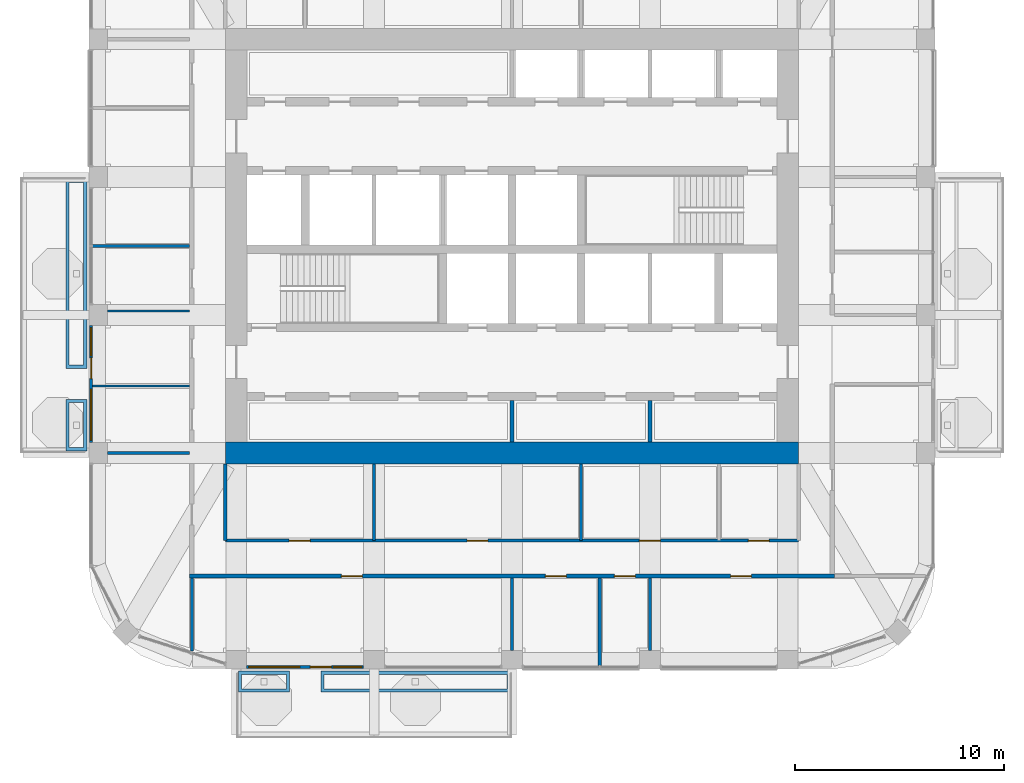
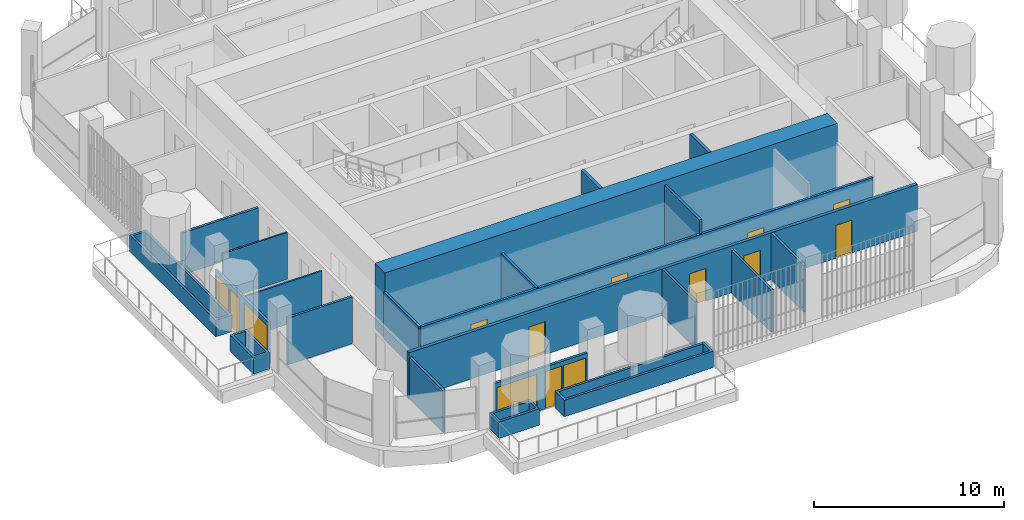
# One storey, part 11 of 18: 22 walls, 10 doors, 4 windows, 14 openings.
"""IFC4 building model written with IfcOpenShell, lengths in metres."""

from ifc_helpers import new_model, si_unit, direction, frame, frame_2d, origin, place, context, subcontext, project, spatial, polyline, rectangle, outline, extrude, material, layer, layer_set, type_object, element, fill, save


model = new_model("IFC4")

# Units and contexts
model_context = context("Model", 3, precision=1e-05, world=origin(), true_north=direction((0.0, 1.0)))
body_context = subcontext(model_context, "Body", "Model", "MODEL_VIEW")
ifc_project = project(units=[si_unit("LENGTHUNIT", "METRE"), si_unit("AREAUNIT", "SQUARE_METRE"), si_unit("VOLUMEUNIT", "CUBIC_METRE"), si_unit("PLANEANGLEUNIT", "RADIAN"), si_unit("MASSUNIT", "GRAM", prefix="KILO")], contexts=[model_context])

# Site, building, storey
site_placement = place(None, origin())
site = spatial("IfcSite", under=ifc_project, at=site_placement, CompositionType="ELEMENT")
building_placement = place(site_placement, origin())
building = spatial("IfcBuilding", under=site, at=building_placement, Name="Cobogo Forest Laboratory Tower", CompositionType="ELEMENT")
storey_placement = place(building_placement, frame((0.0, 0.0, 271.199951171875)))
storey = spatial("IfcBuildingStorey", under=building, at=storey_placement, Name="L62", CompositionType="ELEMENT", Elevation=271.199951171875)

# Wall
ifc_material_1 = material(Name="Concrete HA-50 (C50/60)", Category="concrete")
ifc_layer_1 = layer(ifc_material_1, 1.050048828125)
ifc_layer_set_1 = layer_set([ifc_layer_1], Name="CW1050 core outer wall 1050")
wall_type_1 = type_object("IfcWallType", Name="CW1050 core outer wall 1050", PredefinedType="SHEAR", material=ifc_layer_set_1)
wall_1_placement = place(storey_placement, frame((12.675048828125, 13.199951171875, 0.0), z_axis=(0.0, 0.0, 1.0), x_axis=(1.0, 0.0, 0.0)))
element("IfcWall", 1, at=wall_1_placement, inside=storey, type_object=wall_type_1, Name="Core wall CO-S L62", PredefinedType="SHEAR", context=body_context, shape_type="SweptSolid", body=[
    extrude(rectangle(XDim=27.449951171875, YDim=1.050048828125, at=frame_2d((13.72509765625, 0.0))), origin(), (0.0, 0.0, 1.0), 4.199951171875),
])

# Wall, openings, door, windows
ifc_material_2 = material(Name="Aluminium framed glazed screen", Category="aluminium")
ifc_layer_2 = layer(ifc_material_2, 0.14990234375)
ifc_layer_set_2 = layer_set([ifc_layer_2], Name="GS1 glazed door screen 150")
wall_type_2 = type_object("IfcWallType", Name="GS1 glazed door screen 150", PredefinedType="SOLIDWALL", material=ifc_layer_set_2)
wall_2_placement = place(storey_placement, frame((13.699951171875, 2.949951171875, 0.0), z_axis=(0.0, 0.0, 1.0), x_axis=(1.0, 0.0, 0.0)))
wall_2 = element("IfcWall", 2, at=wall_2_placement, inside=storey, type_object=wall_type_2, Name="Door screen BAL-S1 L62", PredefinedType="SOLIDWALL", context=body_context, shape_type="SweptSolid", body=[
    extrude(rectangle(XDim=5.60009765625, YDim=0.14990234375, at=frame_2d((2.800048828125, 0.0))), origin(), (0.0, 0.0, 1.0), 2.699951171875),
])
opening_1_placement = place(wall_2_placement, frame((3.050048828125, 0.0, 0.0)))
opening_1 = element("IfcOpeningElement", 3, at=opening_1_placement, cuts=wall_2, Name="Opening L62-D01", PredefinedType="OPENING", context=body_context, shape_type="SweptSolid", body=[
    extrude(rectangle(XDim=1.0, YDim=2.39990234375, at=frame_2d((0.5, 1.199951171875))), frame((0.0, 0.0849609375, 0.0), z_axis=(0.0, -1.0, 0.0), x_axis=(1.0, 0.0, 0.0)), (0.0, 0.0, 1.0), 0.169921875),
])
opening_2_placement = place(wall_2_placement, frame((0.10009765625, 0.0, 0.10009765625)))
opening_2 = element("IfcOpeningElement", 4, at=opening_2_placement, cuts=wall_2, Name="Opening L62-W01", PredefinedType="OPENING", context=body_context, shape_type="SweptSolid", body=[
    extrude(rectangle(XDim=2.449951171875, YDim=2.300048828125, at=frame_2d((1.22509765625, 1.14990234375))), frame((0.0, 0.0849609375, 0.0), z_axis=(0.0, -1.0, 0.0), x_axis=(1.0, 0.0, 0.0)), (0.0, 0.0, 1.0), 0.169921875),
])
opening_3_placement = place(wall_2_placement, frame((4.14990234375, 0.0, 0.10009765625)))
opening_3 = element("IfcOpeningElement", 5, at=opening_3_placement, cuts=wall_2, Name="Opening L62-W02", PredefinedType="OPENING", context=body_context, shape_type="SweptSolid", body=[
    extrude(rectangle(XDim=1.35009765625, YDim=2.300048828125, at=frame_2d((0.675048828125, 1.14990234375))), frame((0.0, 0.0849609375, 0.0), z_axis=(0.0, -1.0, 0.0), x_axis=(1.0, 0.0, 0.0)), (0.0, 0.0, 1.0), 0.169921875),
])
ifc_material_3 = material(Name="Aluminium glazed door", Category="aluminium")
door_type_1 = type_object("IfcDoorType", Name="DB1 balcony door 1000 glazed", OperationType="SINGLE_SWING_LEFT", PredefinedType="DOOR", material=ifc_material_3)
door_1_placement = place(opening_1_placement, origin())
door_1 = element("IfcDoor", 6, at=door_1_placement, inside=storey, type_object=door_type_1, Name="Door L62-BAL-S1", OperationType="SINGLE_SWING_RIGHT", OverallHeight=2.39990234375, OverallWidth=1.0, PredefinedType="DOOR", context=body_context, shape_type="SweptSolid", body=[
    extrude(rectangle(XDim=1.0, YDim=2.39990234375, at=frame_2d((0.5, 1.199951171875))), frame((0.0, 0.02490234375, 0.0), z_axis=(0.0, -1.0, 0.0), x_axis=(1.0, 0.0, 0.0)), (0.0, 0.0, 1.0), 0.050048828125),
])
fill(opening_1, door_1)
ifc_material_4 = material(Name="Aluminium framed glazing", Category="aluminium")
window_type_1 = type_object("IfcWindowType", Name="WG23 fixed glazed light 2450x2300", PartitioningType="SINGLE_PANEL", PredefinedType="WINDOW", material=ifc_material_4)
window_1_placement = place(opening_2_placement, origin())
window_1 = element("IfcWindow", 7, at=window_1_placement, inside=storey, type_object=window_type_1, Name="Window L62-BAL-S1-1", OverallHeight=2.300048828125, OverallWidth=2.449951171875, PartitioningType="SINGLE_PANEL", PredefinedType="WINDOW", context=body_context, shape_type="SweptSolid", body=[
    extrude(rectangle(XDim=2.449951171875, YDim=2.300048828125, at=frame_2d((1.22509765625, 1.14990234375))), frame((0.0, 0.030029296875, 0.0), z_axis=(0.0, -1.0, 0.0), x_axis=(1.0, 0.0, 0.0)), (0.0, 0.0, 1.0), 0.06005859375),
])
fill(opening_2, window_1)
window_type_2 = type_object("IfcWindowType", Name="WG24 fixed glazed light 1350x2300", PartitioningType="SINGLE_PANEL", PredefinedType="WINDOW", material=ifc_material_4)
window_2_placement = place(opening_3_placement, origin())
window_2 = element("IfcWindow", 8, at=window_2_placement, inside=storey, type_object=window_type_2, Name="Window L62-BAL-S1-2", OverallHeight=2.300048828125, OverallWidth=1.35009765625, PartitioningType="SINGLE_PANEL", PredefinedType="WINDOW", context=body_context, shape_type="SweptSolid", body=[
    extrude(rectangle(XDim=1.35009765625, YDim=2.300048828125, at=frame_2d((0.675048828125, 1.14990234375))), frame((0.0, 0.030029296875, 0.0), z_axis=(0.0, -1.0, 0.0), x_axis=(1.0, 0.0, 0.0)), (0.0, 0.0, 1.0), 0.06005859375),
])
fill(opening_3, window_2)

wall_3_placement = place(storey_placement, frame((6.25, 19.300048828125, 0.0), z_axis=(0.0, 0.0, 1.0), x_axis=(0.0, -1.0, 0.0)))
wall_3 = element("IfcWall", 9, at=wall_3_placement, inside=storey, type_object=wall_type_2, Name="Door screen BAL-W1 L62", PredefinedType="SOLIDWALL", context=body_context, shape_type="SweptSolid", body=[
    extrude(rectangle(XDim=5.60009765625, YDim=0.14990234375, at=frame_2d((2.800048828125, 0.0))), origin(), (0.0, 0.0, 1.0), 2.699951171875),
])
opening_4_placement = place(wall_3_placement, frame((1.550048828125, 0.0, 0.0)))
opening_4 = element("IfcOpeningElement", 10, at=opening_4_placement, cuts=wall_3, Name="Opening L62-D21", PredefinedType="OPENING", context=body_context, shape_type="SweptSolid", body=[
    extrude(rectangle(XDim=1.0, YDim=2.39990234375, at=frame_2d((0.5, 1.199951171875))), frame((0.0, 0.0849609375, 0.0), z_axis=(0.0, -1.0, 0.0), x_axis=(1.0, 0.0, 0.0)), (0.0, 0.0, 1.0), 0.169921875),
])
opening_5_placement = place(wall_3_placement, frame((0.10009765625, 0.0, 0.10009765625)))
opening_5 = element("IfcOpeningElement", 11, at=opening_5_placement, cuts=wall_3, Name="Opening L62-W05", PredefinedType="OPENING", context=body_context, shape_type="SweptSolid", body=[
    extrude(rectangle(XDim=1.35009765625, YDim=2.300048828125, at=frame_2d((0.675048828125, 1.14990234375))), frame((0.0, 0.0849609375, 0.0), z_axis=(0.0, -1.0, 0.0), x_axis=(1.0, 0.0, 0.0)), (0.0, 0.0, 1.0), 0.169921875),
])
opening_6_placement = place(wall_3_placement, frame((3.050048828125, 0.0, 0.10009765625)))
opening_6 = element("IfcOpeningElement", 12, at=opening_6_placement, cuts=wall_3, Name="Opening L62-W03", PredefinedType="OPENING", context=body_context, shape_type="SweptSolid", body=[
    extrude(rectangle(XDim=2.449951171875, YDim=2.300048828125, at=frame_2d((1.22509765625, 1.14990234375))), frame((0.0, 0.0849609375, 0.0), z_axis=(0.0, -1.0, 0.0), x_axis=(1.0, 0.0, 0.0)), (0.0, 0.0, 1.0), 0.169921875),
])
door_2_placement = place(opening_4_placement, origin())
door_2 = element("IfcDoor", 13, at=door_2_placement, inside=storey, type_object=door_type_1, Name="Door L62-BAL-W1", OperationType="SINGLE_SWING_LEFT", OverallHeight=2.39990234375, OverallWidth=1.0, PredefinedType="DOOR", context=body_context, shape_type="SweptSolid", body=[
    extrude(rectangle(XDim=1.0, YDim=2.39990234375, at=frame_2d((0.5, 1.199951171875))), frame((0.0, 0.02490234375, 0.0), z_axis=(0.0, -1.0, 0.0), x_axis=(1.0, 0.0, 0.0)), (0.0, 0.0, 1.0), 0.050048828125),
])
fill(opening_4, door_2)
window_3_placement = place(opening_6_placement, origin())
window_3 = element("IfcWindow", 14, at=window_3_placement, inside=storey, type_object=window_type_1, Name="Window L62-BAL-W1-2", OverallHeight=2.300048828125, OverallWidth=2.449951171875, PartitioningType="SINGLE_PANEL", PredefinedType="WINDOW", context=body_context, shape_type="SweptSolid", body=[
    extrude(rectangle(XDim=2.449951171875, YDim=2.300048828125, at=frame_2d((1.22509765625, 1.14990234375))), frame((0.0, 0.030029296875, 0.0), z_axis=(0.0, -1.0, 0.0), x_axis=(1.0, 0.0, 0.0)), (0.0, 0.0, 1.0), 0.06005859375),
])
fill(opening_6, window_3)
window_4_placement = place(opening_5_placement, origin())
window_4 = element("IfcWindow", 15, at=window_4_placement, inside=storey, type_object=window_type_2, Name="Window L62-BAL-W1-1", OverallHeight=2.300048828125, OverallWidth=1.35009765625, PartitioningType="SINGLE_PANEL", PredefinedType="WINDOW", context=body_context, shape_type="SweptSolid", body=[
    extrude(rectangle(XDim=1.35009765625, YDim=2.300048828125, at=frame_2d((0.675048828125, 1.14990234375))), frame((0.0, 0.030029296875, 0.0), z_axis=(0.0, -1.0, 0.0), x_axis=(1.0, 0.0, 0.0)), (0.0, 0.0, 1.0), 0.06005859375),
])
fill(opening_5, window_4)

# Wall, openings, doors
ifc_material_5 = material(Name="Gypsum board on steel studs", Category="steel")
ifc_layer_3 = layer(ifc_material_5, 0.14990234375)
ifc_layer_set_3 = layer_set([ifc_layer_3], Name="PT1 laboratory partition 150")
wall_type_3 = type_object("IfcWallType", Name="PT1 laboratory partition 150", PredefinedType="PARTITIONING", material=ifc_layer_set_3)
wall_4_placement = place(storey_placement, frame((12.675048828125, 9.0, 0.0), z_axis=(0.0, 0.0, 1.0), x_axis=(1.0, 0.0, 0.0)))
wall_4 = element("IfcWall", 16, at=wall_4_placement, inside=storey, type_object=wall_type_3, Name="Partition CSTRIP-S L62", PredefinedType="PARTITIONING", context=body_context, shape_type="SweptSolid", body=[
    extrude(rectangle(XDim=27.449951171875, YDim=0.14990234375, at=frame_2d((13.72509765625, 0.0))), origin(), (0.0, 0.0, 1.0), 3.0),
])
opening_7_placement = place(wall_4_placement, frame((3.0625, 0.0, 0.0)))
opening_7 = element("IfcOpeningElement", 17, at=opening_7_placement, cuts=wall_4, Name="Opening L62-D06", PredefinedType="OPENING", context=body_context, shape_type="SweptSolid", body=[
    extrude(rectangle(XDim=1.0, YDim=2.10009765625, at=frame_2d((0.5, 1.050048828125))), frame((0.0, 0.0849609375, 0.0), z_axis=(0.0, -1.0, 0.0), x_axis=(1.0, 0.0, 0.0)), (0.0, 0.0, 1.0), 0.169921875),
])
opening_8_placement = place(wall_4_placement, frame((11.574951171875, 0.0, 0.0)))
opening_8 = element("IfcOpeningElement", 18, at=opening_8_placement, cuts=wall_4, Name="Opening L62-D07", PredefinedType="OPENING", context=body_context, shape_type="SweptSolid", body=[
    extrude(rectangle(XDim=1.0, YDim=2.10009765625, at=frame_2d((0.5, 1.050048828125))), frame((0.0, 0.0849609375, 0.0), z_axis=(0.0, -1.0, 0.0), x_axis=(1.0, 0.0, 0.0)), (0.0, 0.0, 1.0), 0.169921875),
])
opening_9_placement = place(wall_4_placement, frame((19.824951171875, 0.0, 0.0)))
opening_9 = element("IfcOpeningElement", 19, at=opening_9_placement, cuts=wall_4, Name="Opening L62-D08", PredefinedType="OPENING", context=body_context, shape_type="SweptSolid", body=[
    extrude(rectangle(XDim=1.0, YDim=2.10009765625, at=frame_2d((0.5, 1.050048828125))), frame((0.0, 0.0849609375, 0.0), z_axis=(0.0, -1.0, 0.0), x_axis=(1.0, 0.0, 0.0)), (0.0, 0.0, 1.0), 0.169921875),
])
opening_10_placement = place(wall_4_placement, frame((25.03759765625, 0.0, 0.0)))
opening_10 = element("IfcOpeningElement", 20, at=opening_10_placement, cuts=wall_4, Name="Opening L62-D09", PredefinedType="OPENING", context=body_context, shape_type="SweptSolid", body=[
    extrude(rectangle(XDim=1.0, YDim=2.10009765625, at=frame_2d((0.5, 1.050048828125))), frame((0.0, 0.0849609375, 0.0), z_axis=(0.0, -1.0, 0.0), x_axis=(1.0, 0.0, 0.0)), (0.0, 0.0, 1.0), 0.169921875),
])
ifc_material_6 = material(Name="Timber fire door", Category="wood")
door_type_2 = type_object("IfcDoorType", Name="FD2 fire door 1000 EI2 30", OperationType="SINGLE_SWING_LEFT", PredefinedType="DOOR", material=ifc_material_6)
door_3_placement = place(opening_7_placement, origin())
door_3 = element("IfcDoor", 21, at=door_3_placement, inside=storey, type_object=door_type_2, Name="Door L62-CSS1", OperationType="SINGLE_SWING_LEFT", OverallHeight=2.10009765625, OverallWidth=1.0, PredefinedType="DOOR", context=body_context, shape_type="SweptSolid", body=[
    extrude(rectangle(XDim=1.0, YDim=2.10009765625, at=frame_2d((0.5, 1.050048828125))), frame((0.0, 0.02490234375, 0.0), z_axis=(0.0, -1.0, 0.0), x_axis=(1.0, 0.0, 0.0)), (0.0, 0.0, 1.0), 0.050048828125),
])
fill(opening_7, door_3)
door_4_placement = place(opening_8_placement, origin())
door_4 = element("IfcDoor", 22, at=door_4_placement, inside=storey, type_object=door_type_2, Name="Door L62-CSS2", OperationType="SINGLE_SWING_LEFT", OverallHeight=2.10009765625, OverallWidth=1.0, PredefinedType="DOOR", context=body_context, shape_type="SweptSolid", body=[
    extrude(rectangle(XDim=1.0, YDim=2.10009765625, at=frame_2d((0.5, 1.050048828125))), frame((0.0, 0.02490234375, 0.0), z_axis=(0.0, -1.0, 0.0), x_axis=(1.0, 0.0, 0.0)), (0.0, 0.0, 1.0), 0.050048828125),
])
fill(opening_8, door_4)
door_5_placement = place(opening_9_placement, origin())
door_5 = element("IfcDoor", 23, at=door_5_placement, inside=storey, type_object=door_type_2, Name="Door L62-CSS3", OperationType="SINGLE_SWING_RIGHT", OverallHeight=2.10009765625, OverallWidth=1.0, PredefinedType="DOOR", context=body_context, shape_type="SweptSolid", body=[
    extrude(rectangle(XDim=1.0, YDim=2.10009765625, at=frame_2d((0.5, 1.050048828125))), frame((0.0, 0.02490234375, 0.0), z_axis=(0.0, -1.0, 0.0), x_axis=(1.0, 0.0, 0.0)), (0.0, 0.0, 1.0), 0.050048828125),
])
fill(opening_9, door_5)
door_6_placement = place(opening_10_placement, origin())
door_6 = element("IfcDoor", 24, at=door_6_placement, inside=storey, type_object=door_type_2, Name="Door L62-CSS4", OperationType="SINGLE_SWING_RIGHT", OverallHeight=2.10009765625, OverallWidth=1.0, PredefinedType="DOOR", context=body_context, shape_type="SweptSolid", body=[
    extrude(rectangle(XDim=1.0, YDim=2.10009765625, at=frame_2d((0.5, 1.050048828125))), frame((0.0, 0.02490234375, 0.0), z_axis=(0.0, -1.0, 0.0), x_axis=(1.0, 0.0, 0.0)), (0.0, 0.0, 1.0), 0.050048828125),
])
fill(opening_10, door_6)

# Walls
for number, where, z_axis, x_axis, name in (
    (25, (12.675048828125, 12.675048828125, 0.0), (0.0, 0.0, 1.0), (0.0, -1.0, 0.0), "Partition CSTRIP-SW L62"),
    (26, (19.800048828125, 12.675048828125, 0.0), (0.0, 0.0, 1.0), (0.0, -1.0, 0.0), "Partition CSTRIP-S19.8 L62"),
):
    element("IfcWall", number, at=place(storey_placement, frame(where, z_axis=z_axis, x_axis=x_axis)), inside=storey, type_object=wall_type_3, Name=name, PredefinedType="PARTITIONING", context=body_context, shape_type="SweptSolid", body=[
        extrude(rectangle(XDim=3.675048828125, YDim=0.14990234375, at=frame_2d((1.83740234375, 0.0))), origin(), (0.0, 0.0, 1.0), 3.0),
    ])
wall_5_placement = place(storey_placement, frame((29.699951171875, 12.675048828125, 0.0), z_axis=(0.0, 0.0, 1.0), x_axis=(0.0, -1.0, 0.0)))
element("IfcWall", 27, at=wall_5_placement, inside=storey, type_object=wall_type_3, Name="Partition CSTRIP-S29.7 L62", PredefinedType="PARTITIONING", context=body_context, shape_type="SweptSolid", body=[
    extrude(rectangle(XDim=3.675048828125, YDim=0.14990234375, at=frame_2d((1.83740234375, 0.0))), origin(), (0.0, 0.0, 1.0), 3.900146484375),
])
wall_6_placement = place(storey_placement, frame((11.074951171875, 3.705078125, 0.0), z_axis=(0.0, 0.0, 1.0), x_axis=(0.0, 1.0, 0.0)))
element("IfcWall", 28, at=wall_6_placement, inside=storey, type_object=wall_type_3, Name="Partition PW-SW L62", PredefinedType="PARTITIONING", context=body_context, shape_type="SweptSolid", body=[
    extrude(rectangle(XDim=3.494873046875, YDim=0.14990234375, at=frame_2d((1.74755859375, 0.0))), origin(), (0.0, 0.0, 1.0), 2.699951171875),
])
wall_7_placement = place(storey_placement, frame((30.60009765625, 3.030029296875, 0.0), z_axis=(0.0, 0.0, 1.0), x_axis=(0.0, 1.0, 0.0)))
element("IfcWall", 29, at=wall_7_placement, inside=storey, type_object=wall_type_3, Name="Partition SVC-S1-1 L62", PredefinedType="PARTITIONING", context=body_context, shape_type="SweptSolid", body=[
    extrude(rectangle(XDim=4.169921875, YDim=0.14990234375, at=frame_2d((2.0849609375, 0.0))), origin(), (0.0, 0.0, 1.0), 2.699951171875),
])
for number, where, z_axis, x_axis, name in (
    (30, (33.0, 3.75, 0.0), (0.0, 0.0, 1.0), (0.0, 1.0, 0.0), "Partition SVC-S2-1 L62"),
    (31, (26.39990234375, 3.75, 0.0), (0.0, 0.0, 1.0), (0.0, 1.0, 0.0), "Partition CUT-S26.4-1 L62"),
):
    element("IfcWall", number, at=place(storey_placement, frame(where, z_axis=z_axis, x_axis=x_axis)), inside=storey, type_object=wall_type_3, Name=name, PredefinedType="PARTITIONING", context=body_context, shape_type="SweptSolid", body=[
        extrude(rectangle(XDim=3.449951171875, YDim=0.14990234375, at=frame_2d((1.72509765625, 0.0))), origin(), (0.0, 0.0, 1.0), 3.0),
    ])
wall_8_placement = place(storey_placement, frame((6.330078125, 23.10009765625, 0.0), z_axis=(0.0, 0.0, 1.0), x_axis=(1.0, 0.0, 0.0)))
element("IfcWall", 32, at=wall_8_placement, inside=storey, type_object=wall_type_3, Name="Partition SVC-W3-1 L62", PredefinedType="PARTITIONING", context=body_context, shape_type="SweptSolid", body=[
    extrude(rectangle(XDim=4.64501953125, YDim=0.14990234375, at=frame_2d((2.322509765625, 0.0))), origin(), (0.0, 0.0, 1.0), 2.699951171875),
])
wall_9_placement = place(storey_placement, frame((7.050048828125, 13.199951171875, 0.0), z_axis=(0.0, 0.0, 1.0), x_axis=(1.0, 0.0, 0.0)))
element("IfcWall", 33, at=wall_9_placement, inside=storey, type_object=wall_type_3, Name="Partition CUT-W13.2-1 L62", PredefinedType="PARTITIONING", context=body_context, shape_type="SweptSolid", body=[
    extrude(rectangle(XDim=3.925048828125, YDim=0.14990234375, at=frame_2d((1.96240234375, 0.0))), origin(), (0.0, 0.0, 1.0), 3.0),
])

# Wall, openings, doors
ifc_layer_4 = layer(ifc_material_5, 0.199951171875)
ifc_layer_set_4 = layer_set([ifc_layer_4], Name="PT2 fire-rated corridor partition 200")
wall_type_4 = type_object("IfcWallType", Name="PT2 fire-rated corridor partition 200", PredefinedType="PARTITIONING", material=ifc_layer_set_4)
wall_10_placement = place(storey_placement, frame((10.97509765625, 7.300048828125, 0.0), z_axis=(0.0, 0.0, 1.0), x_axis=(1.0, 0.0, 0.0)))
wall_10 = element("IfcWall", 34, at=wall_10_placement, inside=storey, type_object=wall_type_4, Name="Partition CORR-S L62", PredefinedType="PARTITIONING", context=body_context, shape_type="SweptSolid", body=[
    extrude(rectangle(XDim=30.849853515625, YDim=0.199951171875, at=frame_2d((15.4248046875, 0.0))), origin(), (0.0, 0.0, 1.0), 3.0),
])
opening_11_placement = place(wall_10_placement, frame((7.262451171875, 0.0, 0.0)))
opening_11 = element("IfcOpeningElement", 35, at=opening_11_placement, cuts=wall_10, Name="Opening L62-D02", PredefinedType="OPENING", context=body_context, shape_type="SweptSolid", body=[
    extrude(rectangle(XDim=1.0, YDim=2.10009765625, at=frame_2d((0.5, 1.050048828125))), frame((0.0, 0.10986328125, 0.0), z_axis=(0.0, -1.0, 0.0), x_axis=(1.0, 0.0, 0.0)), (0.0, 0.0, 1.0), 0.219970703125),
])
opening_12_placement = place(wall_10_placement, frame((17.02490234375, 0.0, 0.0)))
opening_12 = element("IfcOpeningElement", 36, at=opening_12_placement, cuts=wall_10, Name="Opening L62-D03", PredefinedType="OPENING", context=body_context, shape_type="SweptSolid", body=[
    extrude(rectangle(XDim=1.0, YDim=2.10009765625, at=frame_2d((0.5, 1.050048828125))), frame((0.0, 0.10986328125, 0.0), z_axis=(0.0, -1.0, 0.0), x_axis=(1.0, 0.0, 0.0)), (0.0, 0.0, 1.0), 0.219970703125),
])
opening_13_placement = place(wall_10_placement, frame((20.324951171875, 0.0, 0.0)))
opening_13 = element("IfcOpeningElement", 37, at=opening_13_placement, cuts=wall_10, Name="Opening L62-D04", PredefinedType="OPENING", context=body_context, shape_type="SweptSolid", body=[
    extrude(rectangle(XDim=1.0, YDim=2.10009765625, at=frame_2d((0.5, 1.050048828125))), frame((0.0, 0.10986328125, 0.0), z_axis=(0.0, -1.0, 0.0), x_axis=(1.0, 0.0, 0.0)), (0.0, 0.0, 1.0), 0.219970703125),
])
opening_14_placement = place(wall_10_placement, frame((25.887451171875, 0.0, 0.0)))
opening_14 = element("IfcOpeningElement", 38, at=opening_14_placement, cuts=wall_10, Name="Opening L62-D05", PredefinedType="OPENING", context=body_context, shape_type="SweptSolid", body=[
    extrude(rectangle(XDim=1.0, YDim=2.10009765625, at=frame_2d((0.5, 1.050048828125))), frame((0.0, 0.10986328125, 0.0), z_axis=(0.0, -1.0, 0.0), x_axis=(1.0, 0.0, 0.0)), (0.0, 0.0, 1.0), 0.219970703125),
])
door_7_placement = place(opening_11_placement, origin())
door_7 = element("IfcDoor", 39, at=door_7_placement, inside=storey, type_object=door_type_2, Name="Door L62-S1", OperationType="SINGLE_SWING_LEFT", OverallHeight=2.10009765625, OverallWidth=1.0, PredefinedType="DOOR", context=body_context, shape_type="SweptSolid", body=[
    extrude(rectangle(XDim=1.0, YDim=2.10009765625, at=frame_2d((0.5, 1.050048828125))), frame((0.0, 0.02490234375, 0.0), z_axis=(0.0, -1.0, 0.0), x_axis=(1.0, 0.0, 0.0)), (0.0, 0.0, 1.0), 0.050048828125),
])
fill(opening_11, door_7)
door_8_placement = place(opening_12_placement, origin())
door_8 = element("IfcDoor", 40, at=door_8_placement, inside=storey, type_object=door_type_2, Name="Door L62-MTG", OperationType="SINGLE_SWING_RIGHT", OverallHeight=2.10009765625, OverallWidth=1.0, PredefinedType="DOOR", context=body_context, shape_type="SweptSolid", body=[
    extrude(rectangle(XDim=1.0, YDim=2.10009765625, at=frame_2d((0.5, 1.050048828125))), frame((0.0, 0.02490234375, 0.0), z_axis=(0.0, -1.0, 0.0), x_axis=(1.0, 0.0, 0.0)), (0.0, 0.0, 1.0), 0.050048828125),
])
fill(opening_12, door_8)
door_9_placement = place(opening_13_placement, origin())
door_9 = element("IfcDoor", 41, at=door_9_placement, inside=storey, type_object=door_type_2, Name="Door L62-PAN", OperationType="SINGLE_SWING_RIGHT", OverallHeight=2.10009765625, OverallWidth=1.0, PredefinedType="DOOR", context=body_context, shape_type="SweptSolid", body=[
    extrude(rectangle(XDim=1.0, YDim=2.10009765625, at=frame_2d((0.5, 1.050048828125))), frame((0.0, 0.02490234375, 0.0), z_axis=(0.0, -1.0, 0.0), x_axis=(1.0, 0.0, 0.0)), (0.0, 0.0, 1.0), 0.050048828125),
])
fill(opening_13, door_9)
door_10_placement = place(opening_14_placement, origin())
door_10 = element("IfcDoor", 42, at=door_10_placement, inside=storey, type_object=door_type_2, Name="Door L62-S2", OperationType="SINGLE_SWING_RIGHT", OverallHeight=2.10009765625, OverallWidth=1.0, PredefinedType="DOOR", context=body_context, shape_type="SweptSolid", body=[
    extrude(rectangle(XDim=1.0, YDim=2.10009765625, at=frame_2d((0.5, 1.050048828125))), frame((0.0, 0.02490234375, 0.0), z_axis=(0.0, -1.0, 0.0), x_axis=(1.0, 0.0, 0.0)), (0.0, 0.0, 1.0), 0.050048828125),
])
fill(opening_14, door_10)

# Walls
ifc_layer_5 = layer(ifc_material_5, 0.10009765625)
ifc_layer_set_5 = layer_set([ifc_layer_5], Name="PT3 toilet partition 100")
wall_type_5 = type_object("IfcWallType", Name="PT3 toilet partition 100", PredefinedType="PARTITIONING", material=ifc_layer_set_5)
wall_11_placement = place(storey_placement, frame((6.330078125, 16.39990234375, 0.0), z_axis=(0.0, 0.0, 1.0), x_axis=(1.0, 0.0, 0.0)))
element("IfcWall", 43, at=wall_11_placement, inside=storey, type_object=wall_type_5, Name="Partition SVC-W1-1 L62", PredefinedType="PARTITIONING", context=body_context, shape_type="SweptSolid", body=[
    extrude(rectangle(XDim=4.64501953125, YDim=0.10009765625, at=frame_2d((2.322509765625, 0.0))), origin(), (0.0, 0.0, 1.0), 2.699951171875),
])
wall_12_placement = place(storey_placement, frame((7.050048828125, 20.0, 0.0), z_axis=(0.0, 0.0, 1.0), x_axis=(1.0, 0.0, 0.0)))
element("IfcWall", 44, at=wall_12_placement, inside=storey, type_object=wall_type_5, Name="Partition SVC-W2-1 L62", PredefinedType="PARTITIONING", context=body_context, shape_type="SweptSolid", body=[
    extrude(rectangle(XDim=3.925048828125, YDim=0.10009765625, at=frame_2d((1.96240234375, 0.0))), origin(), (0.0, 0.0, 1.0), 3.0),
])
ifc_material_7 = material(Name="Concrete HA-40 (C40/50)", Category="concrete")
ifc_layer_6 = layer(ifc_material_7, 0.14990234375)
ifc_layer_set_6 = layer_set([ifc_layer_6], Name="Planter box 1000x1050")
wall_type_6 = type_object("IfcWallType", Name="Planter box 1000x1050", PredefinedType="USERDEFINED", material=ifc_layer_set_6)
wall_13_placement = place(storey_placement, origin())
element("IfcWall", 45, at=wall_13_placement, inside=storey, type_object=wall_type_6, Name="Planter BAL-S1-1 L62", ObjectType="PLANTER", PredefinedType="USERDEFINED", context=body_context, shape_type="SweptSolid", body=[
    extrude(outline(polyline([(13.300048828125, 1.75), (15.75, 1.75), (15.75, 2.75), (13.300048828125, 2.75), (13.300048828125, 1.75)]), holes=[polyline([(13.449951171875, 1.89990234375), (15.60009765625, 1.89990234375), (15.60009765625, 2.60009765625), (13.449951171875, 2.60009765625), (13.449951171875, 1.89990234375)])]), origin(), (0.0, 0.0, 1.0), 1.050048828125),
])
wall_14_placement = place(storey_placement, origin())
element("IfcWall", 46, at=wall_14_placement, inside=storey, type_object=wall_type_6, Name="Planter BAL-S1-2 L62", ObjectType="PLANTER", PredefinedType="USERDEFINED", context=body_context, shape_type="SweptSolid", body=[
    extrude(outline(polyline([(17.25, 1.75), (26.300048828125, 1.75), (26.300048828125, 2.75), (17.25, 2.75), (17.25, 1.75)]), holes=[polyline([(17.39990234375, 1.89990234375), (26.14990234375, 1.89990234375), (26.14990234375, 2.60009765625), (17.39990234375, 2.60009765625), (17.39990234375, 1.89990234375)])]), origin(), (0.0, 0.0, 1.0), 1.050048828125),
])
wall_15_placement = place(storey_placement, origin())
element("IfcWall", 47, at=wall_15_placement, inside=storey, type_object=wall_type_6, Name="Planter BAL-W1-1 L62", ObjectType="PLANTER", PredefinedType="USERDEFINED", context=body_context, shape_type="SweptSolid", body=[
    extrude(outline(polyline([(5.050048828125, 13.300048828125), (6.050048828125, 13.300048828125), (6.050048828125, 15.75), (5.050048828125, 15.75), (5.050048828125, 13.300048828125)]), holes=[polyline([(5.199951171875, 13.449951171875), (5.89990234375, 13.449951171875), (5.89990234375, 15.60009765625), (5.199951171875, 15.60009765625), (5.199951171875, 13.449951171875)])]), origin(), (0.0, 0.0, 1.0), 1.050048828125),
])
wall_16_placement = place(storey_placement, origin())
element("IfcWall", 48, at=wall_16_placement, inside=storey, type_object=wall_type_6, Name="Planter BAL-W1-2 L62", ObjectType="PLANTER", PredefinedType="USERDEFINED", context=body_context, shape_type="SweptSolid", body=[
    extrude(outline(polyline([(5.050048828125, 17.25), (6.050048828125, 17.25), (6.050048828125, 26.300048828125), (5.050048828125, 26.300048828125), (5.050048828125, 17.25)]), holes=[polyline([(5.199951171875, 17.39990234375), (5.89990234375, 17.39990234375), (5.89990234375, 26.14990234375), (5.199951171875, 26.14990234375), (5.199951171875, 17.39990234375)])]), origin(), (0.0, 0.0, 1.0), 1.050048828125),
])
ifc_material_8 = material(Name="Concrete block", Category="concrete")
ifc_layer_7 = layer(ifc_material_8, 0.199951171875)
ifc_layer_set_7 = layer_set([ifc_layer_7], Name="SW200 lift shaft separator 200")
wall_type_7 = type_object("IfcWallType", Name="SW200 lift shaft separator 200", PredefinedType="PARTITIONING", material=ifc_layer_set_7)
for number, where, z_axis, x_axis, name in (
    (49, (26.39990234375, 13.72509765625, 0.0), (0.0, 0.0, 1.0), (0.0, 1.0, 0.0), "Core wall SEP-S4 L62"),
    (50, (33.0, 13.72509765625, 0.0), (0.0, 0.0, 1.0), (0.0, 1.0, 0.0), "Core wall SEP-S6 L62"),
):
    element("IfcWall", number, at=place(storey_placement, frame(where, z_axis=z_axis, x_axis=x_axis)), inside=storey, type_object=wall_type_7, Name=name, PredefinedType="PARTITIONING", context=body_context, shape_type="SweptSolid", body=[
        extrude(rectangle(XDim=1.974853515625, YDim=0.199951171875, at=frame_2d((0.9873046875, 0.0))), origin(), (0.0, 0.0, 1.0), 4.199951171875),
    ])

save(model, "model.ifc")
